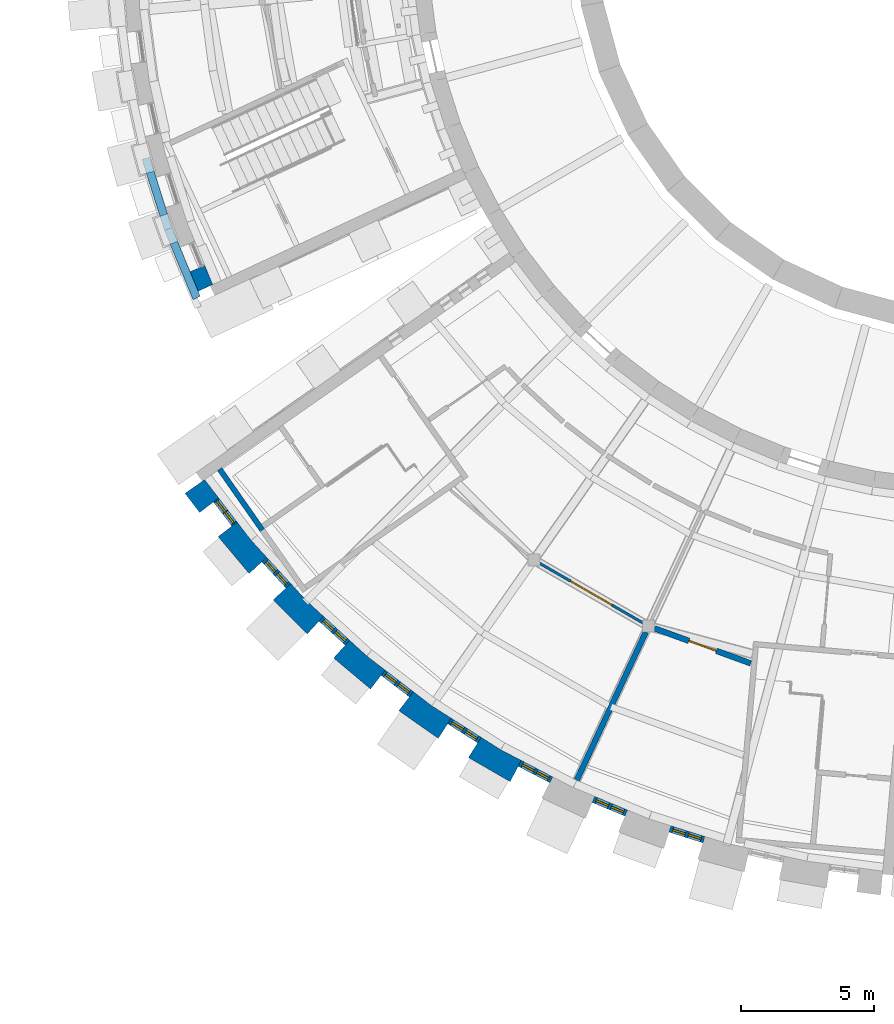
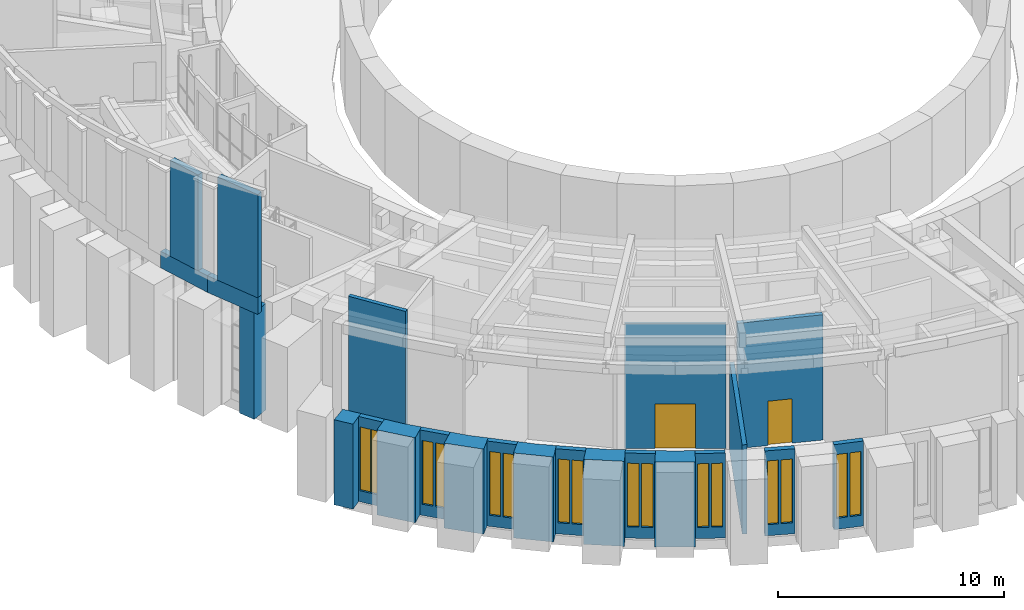
# One storey, part 36 of 66: 23 walls, 16 windows, 2 doors, 18 openings.
"""IFC4 building model written with IfcOpenShell, lengths in metres."""

from ifc_helpers import new_model, si_unit, direction, frame, frame_2d, origin, place, context, subcontext, project, spatial, polyline, rectangle, outline, extrude, material, layer, layer_set, type_object, element, fill, save


model = new_model("IFC4")

# Units and contexts
model_context = context("Model", 3, precision=1e-05, world=origin(), true_north=direction((0.0, 1.0)))
body_context = subcontext(model_context, "Body", "Model", "MODEL_VIEW")
ifc_project = project(units=[si_unit("LENGTHUNIT", "METRE"), si_unit("AREAUNIT", "SQUARE_METRE"), si_unit("VOLUMEUNIT", "CUBIC_METRE"), si_unit("PLANEANGLEUNIT", "RADIAN"), si_unit("MASSUNIT", "GRAM", prefix="KILO")], contexts=[model_context])

# Site, building, storey
site_placement = place(None, origin())
site = spatial("IfcSite", under=ifc_project, at=site_placement, CompositionType="ELEMENT")
building_placement = place(site_placement, origin())
building = spatial("IfcBuilding", under=site, at=building_placement, Name="Volute Hill Aquarium", CompositionType="ELEMENT")
storey_placement = place(building_placement, frame((0.0, 0.0, 4.60009765625)))
storey = spatial("IfcBuildingStorey", under=building, at=storey_placement, Name="L02", CompositionType="ELEMENT", Elevation=4.60009765625)

# Walls
ifc_material_1 = material(Name="Precast concrete C40/50", Category="concrete")
ifc_layer_1 = layer(ifc_material_1, 0.300048828125)
ifc_layer_set_1 = layer_set([ifc_layer_1], Name="Crown screen wall precast concrete C40/50 300")
wall_type_1 = type_object("IfcWallType", Name="Crown screen wall precast concrete C40/50 300", PredefinedType="NOTDEFINED", material=ifc_layer_set_1)
wall_1_placement = place(storey_placement, frame((0.0, 0.0, 6.659912109375)))
element("IfcWall", 1, at=wall_1_placement, inside=storey, type_object=wall_type_1, Name="Crown screen wall CSW S1 9", PredefinedType="NOTDEFINED", context=body_context, shape_type="SweptSolid", body=[
    extrude(outline(polyline([(-30.98486328125, -8.87548828125), (-30.47216796875, -10.501953125), (-30.18994140625, -10.399169921875), (-30.69482421875, -8.797607421875), (-30.98486328125, -8.87548828125)])), origin(), (0.0, 0.0, 1.0), 5.186279296875),
])
wall_2_placement = place(storey_placement, frame((0.0, 0.0, 6.659912109375)))
element("IfcWall", 2, at=wall_2_placement, inside=storey, type_object=wall_type_1, Name="Crown screen wall CSW S1 10", PredefinedType="NOTDEFINED", context=body_context, shape_type="SweptSolid", body=[
    extrude(outline(polyline([(-30.093505859375, -11.5419921875), (-29.228759765625, -13.629638671875), (-28.956787109375, -13.502685546875), (-29.811279296875, -11.439453125), (-30.093505859375, -11.5419921875)])), origin(), (0.0, 0.0, 1.0), 5.58251953125),
])

# Wall, opening, door
ifc_material_2 = material(Name="Gypsum board on steel studs", Category="steel")
ifc_layer_2 = layer(ifc_material_2, 0.10009765625)
ifc_layer_set_2 = layer_set([ifc_layer_2], Name="Light partition 100")
wall_type_2 = type_object("IfcWallType", Name="Light partition 100", PredefinedType="PARTITIONING", material=ifc_layer_set_2)
wall_3_placement = place(storey_placement, frame((-12.29443359375, -25.800537109375, 0.0), z_axis=(0.0, 0.0, 1.0), x_axis=(-0.86603400694, 0.499985098601, 0.0)))
wall_3 = element("IfcWall", 3, at=wall_3_placement, inside=storey, type_object=wall_type_2, Name="pw/S2/L02/003", PredefinedType="PARTITIONING", context=body_context, shape_type="SweptSolid", body=[
    extrude(rectangle(XDim=4.506103515625, YDim=0.10009765625, at=frame_2d((2.2529296875, 0.0))), origin(), (0.0, 0.0, 1.0), 6.775390625),
])
opening_1_placement = place(wall_3_placement, frame((1.352783203125, 0.0, 0.0)))
opening_1 = element("IfcOpeningElement", 4, at=opening_1_placement, cuts=wall_3, Name="Opening D2.02.03", PredefinedType="OPENING", context=body_context, shape_type="SweptSolid", body=[
    extrude(rectangle(XDim=1.800048828125, YDim=2.39990234375, at=frame_2d((0.89990234375, 1.199951171875))), frame((0.0, 0.06005859375, 0.0), z_axis=(0.0, -1.0, 0.0), x_axis=(1.0, 0.0, 0.0)), (0.0, 0.0, 1.0), 0.1201171875),
])
ifc_material_3 = material(Name="Timber", Category="wood")
door_type_1 = type_object("IfcDoorType", Name="Door 1800 x 2400 gallery double", OperationType="DOUBLE_DOOR_SINGLE_SWING", PredefinedType="DOOR", material=ifc_material_3)
door_1_placement = place(opening_1_placement, origin())
door_1 = element("IfcDoor", 5, at=door_1_placement, inside=storey, type_object=door_type_1, Name="d/S2/L02/03", OperationType="SINGLE_SWING_LEFT", OverallHeight=2.39990234375, OverallWidth=1.800048828125, PredefinedType="DOOR", context=body_context, shape_type="SweptSolid", body=[
    extrude(rectangle(XDim=1.800048828125, YDim=2.39990234375, at=frame_2d((0.89990234375, 1.199951171875))), frame((0.0, 0.02490234375, 0.0), z_axis=(0.0, -1.0, 0.0), x_axis=(1.0, 0.0, 0.0)), (0.0, 0.0, 1.0), 0.050048828125),
])
fill(opening_1, door_1)

# Wall, openings, windows
ifc_material_4 = material(Name="Concrete C30/37", Category="concrete")
ifc_layer_3 = layer(ifc_material_4, 0.25)
ifc_layer_set_3 = layer_set([ifc_layer_3], Name="Niche back wall full height 250")
wall_type_3 = type_object("IfcWallType", Name="Niche back wall full height 250", PredefinedType="NOTDEFINED", material=ifc_layer_set_3)
wall_4_placement = place(storey_placement, frame((-27.66943359375, -22.07666015625, 0.0), z_axis=(0.0, 0.0, 1.0), x_axis=(-0.608831313341, 0.793299711267, 0.0)))
wall_4 = element("IfcWall", 6, at=wall_4_placement, inside=storey, type_object=wall_type_3, Name="Niche back wall OWN S2 L02 1", PredefinedType="NOTDEFINED", context=body_context, shape_type="SweptSolid", body=[
    extrude(rectangle(XDim=1.140869140625, YDim=0.25, at=frame_2d((0.5703125, 0.0))), origin(), (0.0, 0.0, 1.0), 4.599853515625),
])
opening_2_placement = place(wall_4_placement, frame((0.582763671875, 0.0, 0.60009765625)))
opening_2 = element("IfcOpeningElement", 7, at=opening_2_placement, cuts=wall_4, Name="Opening W3", PredefinedType="OPENING", context=body_context, shape_type="SweptSolid", body=[
    extrude(rectangle(XDim=0.5, YDim=3.449951171875, at=frame_2d((0.25, 1.72509765625))), frame((0.0, 0.135009765625, 0.0), z_axis=(0.0, -1.0, 0.0), x_axis=(1.0, 0.0, 0.0)), (0.0, 0.0, 1.0), 0.27001953125),
])
opening_3_placement = place(wall_4_placement, frame((0.05810546875, 0.0, 0.60009765625)))
opening_3 = element("IfcOpeningElement", 8, at=opening_3_placement, cuts=wall_4, Name="Opening W3", PredefinedType="OPENING", context=body_context, shape_type="SweptSolid", body=[
    extrude(rectangle(XDim=0.5, YDim=3.449951171875, at=frame_2d((0.25, 1.72509765625))), frame((0.0, 0.135009765625, 0.0), z_axis=(0.0, -1.0, 0.0), x_axis=(1.0, 0.0, 0.0)), (0.0, 0.0, 1.0), 0.27001953125),
])
ifc_material_5 = material(Name="Aluminium and glass", Category="aluminium")
window_type = type_object("IfcWindowType", Name="Slit window 500x3450", PartitioningType="SINGLE_PANEL", PredefinedType="WINDOW", material=ifc_material_5)
window_1_placement = place(opening_2_placement, origin())
window_1 = element("IfcWindow", 9, at=window_1_placement, inside=storey, type_object=window_type, Name="Slit window S2 L02 1.1.1", OverallHeight=3.449951171875, OverallWidth=0.5, PartitioningType="SINGLE_PANEL", PredefinedType="WINDOW", context=body_context, shape_type="SweptSolid", body=[
    extrude(rectangle(XDim=0.5, YDim=3.449951171875, at=frame_2d((0.25, 1.72509765625))), frame((0.0, 0.030029296875, 0.0), z_axis=(0.0, -1.0, 0.0), x_axis=(1.0, 0.0, 0.0)), (0.0, 0.0, 1.0), 0.06005859375),
])
fill(opening_2, window_1)
window_2_placement = place(opening_3_placement, origin())
window_2 = element("IfcWindow", 10, at=window_2_placement, inside=storey, type_object=window_type, Name="Slit window S2 L02 1.1.2", OverallHeight=3.449951171875, OverallWidth=0.5, PartitioningType="SINGLE_PANEL", PredefinedType="WINDOW", context=body_context, shape_type="SweptSolid", body=[
    extrude(rectangle(XDim=0.5, YDim=3.449951171875, at=frame_2d((0.25, 1.72509765625))), frame((0.0, 0.030029296875, 0.0), z_axis=(0.0, -1.0, 0.0), x_axis=(1.0, 0.0, 0.0)), (0.0, 0.0, 1.0), 0.06005859375),
])
fill(opening_3, window_2)

wall_5_placement = place(storey_placement, frame((-25.639892578125, -24.404296875, 0.0), z_axis=(0.0, 0.0, 1.0), x_axis=(-0.675576229389, 0.737290145251, 0.0)))
wall_5 = element("IfcWall", 11, at=wall_5_placement, inside=storey, type_object=wall_type_3, Name="Niche back wall OWN S2 L02 2", PredefinedType="NOTDEFINED", context=body_context, shape_type="SweptSolid", body=[
    extrude(rectangle(XDim=1.341064453125, YDim=0.25, at=frame_2d((0.67041015625, 0.0))), origin(), (0.0, 0.0, 1.0), 4.599853515625),
])
opening_4_placement = place(wall_5_placement, frame((0.72900390625, 0.0, 0.60009765625)))
opening_4 = element("IfcOpeningElement", 12, at=opening_4_placement, cuts=wall_5, Name="Opening W3", PredefinedType="OPENING", context=body_context, shape_type="SweptSolid", body=[
    extrude(rectangle(XDim=0.5, YDim=3.449951171875, at=frame_2d((0.25, 1.72509765625))), frame((0.0, 0.135009765625, 0.0), z_axis=(0.0, -1.0, 0.0), x_axis=(1.0, 0.0, 0.0)), (0.0, 0.0, 1.0), 0.27001953125),
])
opening_5_placement = place(wall_5_placement, frame((0.112060546875, 0.0, 0.60009765625)))
opening_5 = element("IfcOpeningElement", 13, at=opening_5_placement, cuts=wall_5, Name="Opening W3", PredefinedType="OPENING", context=body_context, shape_type="SweptSolid", body=[
    extrude(rectangle(XDim=0.5, YDim=3.449951171875, at=frame_2d((0.25, 1.72509765625))), frame((0.0, 0.135009765625, 0.0), z_axis=(0.0, -1.0, 0.0), x_axis=(1.0, 0.0, 0.0)), (0.0, 0.0, 1.0), 0.27001953125),
])
window_3_placement = place(opening_4_placement, origin())
window_3 = element("IfcWindow", 14, at=window_3_placement, inside=storey, type_object=window_type, Name="Slit window S2 L02 2.1.1", OverallHeight=3.449951171875, OverallWidth=0.5, PartitioningType="SINGLE_PANEL", PredefinedType="WINDOW", context=body_context, shape_type="SweptSolid", body=[
    extrude(rectangle(XDim=0.5, YDim=3.449951171875, at=frame_2d((0.25, 1.72509765625))), frame((0.0, 0.030029296875, 0.0), z_axis=(0.0, -1.0, 0.0), x_axis=(1.0, 0.0, 0.0)), (0.0, 0.0, 1.0), 0.06005859375),
])
fill(opening_4, window_3)
window_4_placement = place(opening_5_placement, origin())
window_4 = element("IfcWindow", 15, at=window_4_placement, inside=storey, type_object=window_type, Name="Slit window S2 L02 2.1.2", OverallHeight=3.449951171875, OverallWidth=0.5, PartitioningType="SINGLE_PANEL", PredefinedType="WINDOW", context=body_context, shape_type="SweptSolid", body=[
    extrude(rectangle(XDim=0.5, YDim=3.449951171875, at=frame_2d((0.25, 1.72509765625))), frame((0.0, 0.030029296875, 0.0), z_axis=(0.0, -1.0, 0.0), x_axis=(1.0, 0.0, 0.0)), (0.0, 0.0, 1.0), 0.06005859375),
])
fill(opening_5, window_4)

wall_6_placement = place(storey_placement, frame((-23.41552734375, -26.5458984375, 0.0), z_axis=(0.0, 0.0, 1.0), x_axis=(-0.737290145251, 0.675576229389, 0.0)))
wall_6 = element("IfcWall", 16, at=wall_6_placement, inside=storey, type_object=wall_type_3, Name="Niche back wall OWN S2 L02 3", PredefinedType="NOTDEFINED", context=body_context, shape_type="SweptSolid", body=[
    extrude(rectangle(XDim=1.341064453125, YDim=0.25, at=frame_2d((0.67041015625, 0.0))), origin(), (0.0, 0.0, 1.0), 4.599853515625),
])
opening_6_placement = place(wall_6_placement, frame((0.72900390625, 0.0, 0.60009765625)))
opening_6 = element("IfcOpeningElement", 17, at=opening_6_placement, cuts=wall_6, Name="Opening W3", PredefinedType="OPENING", context=body_context, shape_type="SweptSolid", body=[
    extrude(rectangle(XDim=0.5, YDim=3.449951171875, at=frame_2d((0.25, 1.72509765625))), frame((0.0, 0.135009765625, 0.0), z_axis=(0.0, -1.0, 0.0), x_axis=(1.0, 0.0, 0.0)), (0.0, 0.0, 1.0), 0.27001953125),
])
opening_7_placement = place(wall_6_placement, frame((0.112060546875, 0.0, 0.60009765625)))
opening_7 = element("IfcOpeningElement", 18, at=opening_7_placement, cuts=wall_6, Name="Opening W3", PredefinedType="OPENING", context=body_context, shape_type="SweptSolid", body=[
    extrude(rectangle(XDim=0.5, YDim=3.449951171875, at=frame_2d((0.25, 1.72509765625))), frame((0.0, 0.135009765625, 0.0), z_axis=(0.0, -1.0, 0.0), x_axis=(1.0, 0.0, 0.0)), (0.0, 0.0, 1.0), 0.27001953125),
])
window_5_placement = place(opening_6_placement, origin())
window_5 = element("IfcWindow", 19, at=window_5_placement, inside=storey, type_object=window_type, Name="Slit window S2 L02 3.1.1", OverallHeight=3.449951171875, OverallWidth=0.5, PartitioningType="SINGLE_PANEL", PredefinedType="WINDOW", context=body_context, shape_type="SweptSolid", body=[
    extrude(rectangle(XDim=0.5, YDim=3.449951171875, at=frame_2d((0.25, 1.72509765625))), frame((0.0, 0.030029296875, 0.0), z_axis=(0.0, -1.0, 0.0), x_axis=(1.0, 0.0, 0.0)), (0.0, 0.0, 1.0), 0.06005859375),
])
fill(opening_6, window_5)
window_6_placement = place(opening_7_placement, origin())
window_6 = element("IfcWindow", 20, at=window_6_placement, inside=storey, type_object=window_type, Name="Slit window S2 L02 3.1.2", OverallHeight=3.449951171875, OverallWidth=0.5, PartitioningType="SINGLE_PANEL", PredefinedType="WINDOW", context=body_context, shape_type="SweptSolid", body=[
    extrude(rectangle(XDim=0.5, YDim=3.449951171875, at=frame_2d((0.25, 1.72509765625))), frame((0.0, 0.030029296875, 0.0), z_axis=(0.0, -1.0, 0.0), x_axis=(1.0, 0.0, 0.0)), (0.0, 0.0, 1.0), 0.06005859375),
])
fill(opening_7, window_6)

wall_7_placement = place(storey_placement, frame((-21.0126953125, -28.48583984375, 0.0), z_axis=(0.0, 0.0, 1.0), x_axis=(-0.793354308621, 0.608760167055, 0.0)))
wall_7 = element("IfcWall", 21, at=wall_7_placement, inside=storey, type_object=wall_type_3, Name="Niche back wall OWN S2 L02 4", PredefinedType="NOTDEFINED", context=body_context, shape_type="SweptSolid", body=[
    extrude(rectangle(XDim=1.341064453125, YDim=0.25, at=frame_2d((0.67041015625, 0.0))), origin(), (0.0, 0.0, 1.0), 4.599853515625),
])
opening_8_placement = place(wall_7_placement, frame((0.72900390625, 0.0, 0.60009765625)))
opening_8 = element("IfcOpeningElement", 22, at=opening_8_placement, cuts=wall_7, Name="Opening W3", PredefinedType="OPENING", context=body_context, shape_type="SweptSolid", body=[
    extrude(rectangle(XDim=0.5, YDim=3.449951171875, at=frame_2d((0.25, 1.72509765625))), frame((0.0, 0.135009765625, 0.0), z_axis=(0.0, -1.0, 0.0), x_axis=(1.0, 0.0, 0.0)), (0.0, 0.0, 1.0), 0.27001953125),
])
opening_9_placement = place(wall_7_placement, frame((0.112060546875, 0.0, 0.60009765625)))
opening_9 = element("IfcOpeningElement", 23, at=opening_9_placement, cuts=wall_7, Name="Opening W3", PredefinedType="OPENING", context=body_context, shape_type="SweptSolid", body=[
    extrude(rectangle(XDim=0.5, YDim=3.449951171875, at=frame_2d((0.25, 1.72509765625))), frame((0.0, 0.135009765625, 0.0), z_axis=(0.0, -1.0, 0.0), x_axis=(1.0, 0.0, 0.0)), (0.0, 0.0, 1.0), 0.27001953125),
])
window_7_placement = place(opening_8_placement, origin())
window_7 = element("IfcWindow", 24, at=window_7_placement, inside=storey, type_object=window_type, Name="Slit window S2 L02 4.1.1", OverallHeight=3.449951171875, OverallWidth=0.5, PartitioningType="SINGLE_PANEL", PredefinedType="WINDOW", context=body_context, shape_type="SweptSolid", body=[
    extrude(rectangle(XDim=0.5, YDim=3.449951171875, at=frame_2d((0.25, 1.72509765625))), frame((0.0, 0.030029296875, 0.0), z_axis=(0.0, -1.0, 0.0), x_axis=(1.0, 0.0, 0.0)), (0.0, 0.0, 1.0), 0.06005859375),
])
fill(opening_8, window_7)
window_8_placement = place(opening_9_placement, origin())
window_8 = element("IfcWindow", 25, at=window_8_placement, inside=storey, type_object=window_type, Name="Slit window S2 L02 4.1.2", OverallHeight=3.449951171875, OverallWidth=0.5, PartitioningType="SINGLE_PANEL", PredefinedType="WINDOW", context=body_context, shape_type="SweptSolid", body=[
    extrude(rectangle(XDim=0.5, YDim=3.449951171875, at=frame_2d((0.25, 1.72509765625))), frame((0.0, 0.030029296875, 0.0), z_axis=(0.0, -1.0, 0.0), x_axis=(1.0, 0.0, 0.0)), (0.0, 0.0, 1.0), 0.06005859375),
])
fill(opening_9, window_8)

wall_8_placement = place(storey_placement, frame((-18.449951171875, -30.208740234375, 0.0), z_axis=(0.0, 0.0, 1.0), x_axis=(-0.843436528723, 0.5372288358, 0.0)))
wall_8 = element("IfcWall", 26, at=wall_8_placement, inside=storey, type_object=wall_type_3, Name="Niche back wall OWN S2 L02 5", PredefinedType="NOTDEFINED", context=body_context, shape_type="SweptSolid", body=[
    extrude(rectangle(XDim=1.341064453125, YDim=0.25, at=frame_2d((0.67041015625, 0.0))), origin(), (0.0, 0.0, 1.0), 4.599853515625),
])
opening_10_placement = place(wall_8_placement, frame((0.72900390625, 0.0, 0.60009765625)))
opening_10 = element("IfcOpeningElement", 27, at=opening_10_placement, cuts=wall_8, Name="Opening W3", PredefinedType="OPENING", context=body_context, shape_type="SweptSolid", body=[
    extrude(rectangle(XDim=0.5, YDim=3.449951171875, at=frame_2d((0.25, 1.72509765625))), frame((0.0, 0.135009765625, 0.0), z_axis=(0.0, -1.0, 0.0), x_axis=(1.0, 0.0, 0.0)), (0.0, 0.0, 1.0), 0.27001953125),
])
opening_11_placement = place(wall_8_placement, frame((0.112060546875, 0.0, 0.60009765625)))
opening_11 = element("IfcOpeningElement", 28, at=opening_11_placement, cuts=wall_8, Name="Opening W3", PredefinedType="OPENING", context=body_context, shape_type="SweptSolid", body=[
    extrude(rectangle(XDim=0.5, YDim=3.449951171875, at=frame_2d((0.25, 1.72509765625))), frame((0.0, 0.135009765625, 0.0), z_axis=(0.0, -1.0, 0.0), x_axis=(1.0, 0.0, 0.0)), (0.0, 0.0, 1.0), 0.27001953125),
])
window_9_placement = place(opening_10_placement, origin())
window_9 = element("IfcWindow", 29, at=window_9_placement, inside=storey, type_object=window_type, Name="Slit window S2 L02 5.1.1", OverallHeight=3.449951171875, OverallWidth=0.5, PartitioningType="SINGLE_PANEL", PredefinedType="WINDOW", context=body_context, shape_type="SweptSolid", body=[
    extrude(rectangle(XDim=0.5, YDim=3.449951171875, at=frame_2d((0.25, 1.72509765625))), frame((0.0, 0.030029296875, 0.0), z_axis=(0.0, -1.0, 0.0), x_axis=(1.0, 0.0, 0.0)), (0.0, 0.0, 1.0), 0.06005859375),
])
fill(opening_10, window_9)
window_10_placement = place(opening_11_placement, origin())
window_10 = element("IfcWindow", 30, at=window_10_placement, inside=storey, type_object=window_type, Name="Slit window S2 L02 5.1.2", OverallHeight=3.449951171875, OverallWidth=0.5, PartitioningType="SINGLE_PANEL", PredefinedType="WINDOW", context=body_context, shape_type="SweptSolid", body=[
    extrude(rectangle(XDim=0.5, YDim=3.449951171875, at=frame_2d((0.25, 1.72509765625))), frame((0.0, 0.030029296875, 0.0), z_axis=(0.0, -1.0, 0.0), x_axis=(1.0, 0.0, 0.0)), (0.0, 0.0, 1.0), 0.06005859375),
])
fill(opening_11, window_10)

wall_9_placement = place(storey_placement, frame((-15.7470703125, -31.701904296875, 0.0), z_axis=(0.0, 0.0, 1.0), x_axis=(-0.886951374027, 0.461862815252, 0.0)))
wall_9 = element("IfcWall", 31, at=wall_9_placement, inside=storey, type_object=wall_type_3, Name="Niche back wall OWN S2 L02 6", PredefinedType="NOTDEFINED", context=body_context, shape_type="SweptSolid", body=[
    extrude(rectangle(XDim=1.341064453125, YDim=0.25, at=frame_2d((0.67041015625, 0.0))), origin(), (0.0, 0.0, 1.0), 4.599853515625),
])
opening_12_placement = place(wall_9_placement, frame((0.72900390625, 0.0, 0.60009765625)))
opening_12 = element("IfcOpeningElement", 32, at=opening_12_placement, cuts=wall_9, Name="Opening W3", PredefinedType="OPENING", context=body_context, shape_type="SweptSolid", body=[
    extrude(rectangle(XDim=0.5, YDim=3.449951171875, at=frame_2d((0.25, 1.72509765625))), frame((0.0, 0.135009765625, 0.0), z_axis=(0.0, -1.0, 0.0), x_axis=(1.0, 0.0, 0.0)), (0.0, 0.0, 1.0), 0.27001953125),
])
opening_13_placement = place(wall_9_placement, frame((0.112060546875, 0.0, 0.60009765625)))
opening_13 = element("IfcOpeningElement", 33, at=opening_13_placement, cuts=wall_9, Name="Opening W3", PredefinedType="OPENING", context=body_context, shape_type="SweptSolid", body=[
    extrude(rectangle(XDim=0.5, YDim=3.449951171875, at=frame_2d((0.25, 1.72509765625))), frame((0.0, 0.135009765625, 0.0), z_axis=(0.0, -1.0, 0.0), x_axis=(1.0, 0.0, 0.0)), (0.0, 0.0, 1.0), 0.27001953125),
])
window_11_placement = place(opening_12_placement, origin())
window_11 = element("IfcWindow", 34, at=window_11_placement, inside=storey, type_object=window_type, Name="Slit window S2 L02 6.1.1", OverallHeight=3.449951171875, OverallWidth=0.5, PartitioningType="SINGLE_PANEL", PredefinedType="WINDOW", context=body_context, shape_type="SweptSolid", body=[
    extrude(rectangle(XDim=0.5, YDim=3.449951171875, at=frame_2d((0.25, 1.72509765625))), frame((0.0, 0.030029296875, 0.0), z_axis=(0.0, -1.0, 0.0), x_axis=(1.0, 0.0, 0.0)), (0.0, 0.0, 1.0), 0.06005859375),
])
fill(opening_12, window_11)
window_12_placement = place(opening_13_placement, origin())
window_12 = element("IfcWindow", 35, at=window_12_placement, inside=storey, type_object=window_type, Name="Slit window S2 L02 6.1.2", OverallHeight=3.449951171875, OverallWidth=0.5, PartitioningType="SINGLE_PANEL", PredefinedType="WINDOW", context=body_context, shape_type="SweptSolid", body=[
    extrude(rectangle(XDim=0.5, YDim=3.449951171875, at=frame_2d((0.25, 1.72509765625))), frame((0.0, 0.030029296875, 0.0), z_axis=(0.0, -1.0, 0.0), x_axis=(1.0, 0.0, 0.0)), (0.0, 0.0, 1.0), 0.06005859375),
])
fill(opening_13, window_12)

wall_10_placement = place(storey_placement, frame((-12.924072265625, -32.95361328125, 0.0), z_axis=(0.0, 0.0, 1.0), x_axis=(-0.923888145957, 0.382662637005, 0.0)))
wall_10 = element("IfcWall", 36, at=wall_10_placement, inside=storey, type_object=wall_type_3, Name="Niche back wall OWN S2 L02 7", PredefinedType="NOTDEFINED", context=body_context, shape_type="SweptSolid", body=[
    extrude(rectangle(XDim=1.341064453125, YDim=0.25, at=frame_2d((0.67041015625, 0.0))), origin(), (0.0, 0.0, 1.0), 4.599853515625),
])
opening_14_placement = place(wall_10_placement, frame((0.72900390625, 0.0, 0.60009765625)))
opening_14 = element("IfcOpeningElement", 37, at=opening_14_placement, cuts=wall_10, Name="Opening W3", PredefinedType="OPENING", context=body_context, shape_type="SweptSolid", body=[
    extrude(rectangle(XDim=0.5, YDim=3.449951171875, at=frame_2d((0.25, 1.72509765625))), frame((0.0, 0.135009765625, 0.0), z_axis=(0.0, -1.0, 0.0), x_axis=(1.0, 0.0, 0.0)), (0.0, 0.0, 1.0), 0.27001953125),
])
opening_15_placement = place(wall_10_placement, frame((0.112060546875, 0.0, 0.60009765625)))
opening_15 = element("IfcOpeningElement", 38, at=opening_15_placement, cuts=wall_10, Name="Opening W3", PredefinedType="OPENING", context=body_context, shape_type="SweptSolid", body=[
    extrude(rectangle(XDim=0.5, YDim=3.449951171875, at=frame_2d((0.25, 1.72509765625))), frame((0.0, 0.135009765625, 0.0), z_axis=(0.0, -1.0, 0.0), x_axis=(1.0, 0.0, 0.0)), (0.0, 0.0, 1.0), 0.27001953125),
])
window_13_placement = place(opening_14_placement, origin())
window_13 = element("IfcWindow", 39, at=window_13_placement, inside=storey, type_object=window_type, Name="Slit window S2 L02 7.1.1", OverallHeight=3.449951171875, OverallWidth=0.5, PartitioningType="SINGLE_PANEL", PredefinedType="WINDOW", context=body_context, shape_type="SweptSolid", body=[
    extrude(rectangle(XDim=0.5, YDim=3.449951171875, at=frame_2d((0.25, 1.72509765625))), frame((0.0, 0.030029296875, 0.0), z_axis=(0.0, -1.0, 0.0), x_axis=(1.0, 0.0, 0.0)), (0.0, 0.0, 1.0), 0.06005859375),
])
fill(opening_14, window_13)
window_14_placement = place(opening_15_placement, origin())
window_14 = element("IfcWindow", 40, at=window_14_placement, inside=storey, type_object=window_type, Name="Slit window S2 L02 7.1.2", OverallHeight=3.449951171875, OverallWidth=0.5, PartitioningType="SINGLE_PANEL", PredefinedType="WINDOW", context=body_context, shape_type="SweptSolid", body=[
    extrude(rectangle(XDim=0.5, YDim=3.449951171875, at=frame_2d((0.25, 1.72509765625))), frame((0.0, 0.030029296875, 0.0), z_axis=(0.0, -1.0, 0.0), x_axis=(1.0, 0.0, 0.0)), (0.0, 0.0, 1.0), 0.06005859375),
])
fill(opening_15, window_14)

wall_11_placement = place(storey_placement, frame((-10.002685546875, -33.95458984375, 0.0), z_axis=(0.0, 0.0, 1.0), x_axis=(-0.953709137905, 0.300730577556, 0.0)))
wall_11 = element("IfcWall", 41, at=wall_11_placement, inside=storey, type_object=wall_type_3, Name="Niche back wall OWN S2 L02 8", PredefinedType="NOTDEFINED", context=body_context, shape_type="SweptSolid", body=[
    extrude(rectangle(XDim=1.341064453125, YDim=0.25, at=frame_2d((0.67041015625, 0.0))), origin(), (0.0, 0.0, 1.0), 4.599853515625),
])
opening_16_placement = place(wall_11_placement, frame((0.72900390625, 0.0, 0.60009765625)))
opening_16 = element("IfcOpeningElement", 42, at=opening_16_placement, cuts=wall_11, Name="Opening W3", PredefinedType="OPENING", context=body_context, shape_type="SweptSolid", body=[
    extrude(rectangle(XDim=0.5, YDim=3.449951171875, at=frame_2d((0.25, 1.72509765625))), frame((0.0, 0.135009765625, 0.0), z_axis=(0.0, -1.0, 0.0), x_axis=(1.0, 0.0, 0.0)), (0.0, 0.0, 1.0), 0.27001953125),
])
opening_17_placement = place(wall_11_placement, frame((0.112060546875, 0.0, 0.60009765625)))
opening_17 = element("IfcOpeningElement", 43, at=opening_17_placement, cuts=wall_11, Name="Opening W3", PredefinedType="OPENING", context=body_context, shape_type="SweptSolid", body=[
    extrude(rectangle(XDim=0.5, YDim=3.449951171875, at=frame_2d((0.25, 1.72509765625))), frame((0.0, 0.135009765625, 0.0), z_axis=(0.0, -1.0, 0.0), x_axis=(1.0, 0.0, 0.0)), (0.0, 0.0, 1.0), 0.27001953125),
])
window_15_placement = place(opening_16_placement, origin())
window_15 = element("IfcWindow", 44, at=window_15_placement, inside=storey, type_object=window_type, Name="Slit window S2 L02 8.1.1", OverallHeight=3.449951171875, OverallWidth=0.5, PartitioningType="SINGLE_PANEL", PredefinedType="WINDOW", context=body_context, shape_type="SweptSolid", body=[
    extrude(rectangle(XDim=0.5, YDim=3.449951171875, at=frame_2d((0.25, 1.72509765625))), frame((0.0, 0.030029296875, 0.0), z_axis=(0.0, -1.0, 0.0), x_axis=(1.0, 0.0, 0.0)), (0.0, 0.0, 1.0), 0.06005859375),
])
fill(opening_16, window_15)
window_16_placement = place(opening_17_placement, origin())
window_16 = element("IfcWindow", 45, at=window_16_placement, inside=storey, type_object=window_type, Name="Slit window S2 L02 8.1.2", OverallHeight=3.449951171875, OverallWidth=0.5, PartitioningType="SINGLE_PANEL", PredefinedType="WINDOW", context=body_context, shape_type="SweptSolid", body=[
    extrude(rectangle(XDim=0.5, YDim=3.449951171875, at=frame_2d((0.25, 1.72509765625))), frame((0.0, 0.030029296875, 0.0), z_axis=(0.0, -1.0, 0.0), x_axis=(1.0, 0.0, 0.0)), (0.0, 0.0, 1.0), 0.06005859375),
])
fill(opening_17, window_16)

# Walls
ifc_material_6 = material(Name="Precast concrete C40/50", Category="concrete")
ifc_layer_4 = layer(ifc_material_6, 0.89990234375)
ifc_layer_set_4 = layer_set([ifc_layer_4], Name="Outer pier precast concrete C40/50 900")
wall_type_4 = type_object("IfcWallType", Name="Outer pier precast concrete C40/50 900", PredefinedType="NOTDEFINED", material=ifc_layer_set_4)
wall_12_placement = place(storey_placement, origin())
element("IfcWall", 46, at=wall_12_placement, inside=storey, type_object=wall_type_4, Name="Outer pier OWP S1 L02 11", PredefinedType="NOTDEFINED", context=body_context, shape_type="SweptSolid", body=[
    extrude(outline(polyline([(-28.783935546875, -12.3515625), (-29.615478515625, -12.696044921875), (-29.305419921875, -13.444580078125), (-28.489013671875, -13.06396484375), (-28.783935546875, -12.3515625)])), origin(), (0.0, 0.0, 1.0), 5.760009765625),
])
wall_13_placement = place(storey_placement, origin())
element("IfcWall", 47, at=wall_13_placement, inside=storey, type_object=wall_type_4, Name="Outer pier OWP S2 L02 1", PredefinedType="NOTDEFINED", context=body_context, shape_type="SweptSolid", body=[
    extrude(outline(polyline([(-28.7939453125, -20.40576171875), (-29.53173828125, -20.922607421875), (-28.978759765625, -21.643310546875), (-28.2646484375, -21.095458984375), (-28.7939453125, -20.40576171875)])), origin(), (0.0, 0.0, 1.0), 4.599853515625),
])
wall_14_placement = place(storey_placement, origin())
element("IfcWall", 48, at=wall_14_placement, inside=storey, type_object=wall_type_4, Name="Outer pier OWP S2 L02 2", PredefinedType="NOTDEFINED", context=body_context, shape_type="SweptSolid", body=[
    extrude(outline(polyline([(-27.570068359375, -22.00048828125), (-28.2841796875, -22.548583984375), (-27.117431640625, -23.93896484375), (-26.453857421875, -23.3310546875), (-27.041015625, -22.690185546875), (-27.570068359375, -22.00048828125)])), origin(), (0.0, 0.0, 1.0), 4.599853515625),
])
wall_15_placement = place(storey_placement, origin())
element("IfcWall", 49, at=wall_15_placement, inside=storey, type_object=wall_type_4, Name="Outer pier OWP S2 L02 3", PredefinedType="NOTDEFINED", context=body_context, shape_type="SweptSolid", body=[
    extrude(outline(polyline([(-25.5478515625, -24.31982421875), (-26.21142578125, -24.927734375), (-24.927734375, -26.21142578125), (-24.31982421875, -25.5478515625), (-24.960693359375, -24.960693359375), (-25.5478515625, -24.31982421875)])), origin(), (0.0, 0.0, 1.0), 4.599853515625),
])
wall_16_placement = place(storey_placement, origin())
element("IfcWall", 50, at=wall_16_placement, inside=storey, type_object=wall_type_4, Name="Outer pier OWP S2 L02 4", PredefinedType="NOTDEFINED", context=body_context, shape_type="SweptSolid", body=[
    extrude(outline(polyline([(-23.3310546875, -26.453857421875), (-23.93896484375, -27.117431640625), (-22.548583984375, -28.2841796875), (-22.00048828125, -27.570068359375), (-22.690185546875, -27.041015625), (-23.3310546875, -26.453857421875)])), origin(), (0.0, 0.0, 1.0), 4.599853515625),
])
wall_17_placement = place(storey_placement, origin())
element("IfcWall", 51, at=wall_17_placement, inside=storey, type_object=wall_type_4, Name="Outer pier OWP S2 L02 5", PredefinedType="NOTDEFINED", context=body_context, shape_type="SweptSolid", body=[
    extrude(outline(polyline([(-20.9365234375, -28.386474609375), (-21.484619140625, -29.1005859375), (-19.99755859375, -30.141845703125), (-19.513916015625, -29.3828125), (-20.2470703125, -28.915771484375), (-20.9365234375, -28.386474609375)])), origin(), (0.0, 0.0, 1.0), 4.599853515625),
])
wall_18_placement = place(storey_placement, origin())
element("IfcWall", 52, at=wall_18_placement, inside=storey, type_object=wall_type_4, Name="Outer pier OWP S2 L02 6", PredefinedType="NOTDEFINED", context=body_context, shape_type="SweptSolid", body=[
    extrude(outline(polyline([(-18.3828125, -30.103271484375), (-18.866455078125, -30.8623046875), (-17.29443359375, -31.77001953125), (-16.87890625, -30.9716796875), (-17.64990234375, -30.5703125), (-18.3828125, -30.103271484375)])), origin(), (0.0, 0.0, 1.0), 4.599853515625),
])
ifc_material_7 = material(Name="Masonry blockwork", Category="masonry")
ifc_layer_5 = layer(ifc_material_7, 0.215087890625)
ifc_layer_set_5 = layer_set([ifc_layer_5], Name="Plant room wall 215 EI 60")
wall_type_5 = type_object("IfcWallType", Name="Plant room wall 215 EI 60", PredefinedType="PARTITIONING", material=ifc_layer_set_5)
wall_19_placement = place(storey_placement, frame((-12.188232421875, -26.1376953125, 0.0), z_axis=(0.0, 0.0, 1.0), x_axis=(-0.422611085611, -0.906311133286, 0.0)))
element("IfcWall", 53, at=wall_19_placement, inside=storey, type_object=wall_type_5, Name="pw/S2/L02/001", PredefinedType="PARTITIONING", context=body_context, shape_type="SweptSolid", body=[
    extrude(rectangle(XDim=6.430419921875, YDim=0.215087890625, at=frame_2d((3.21533203125, 0.0))), origin(), (0.0, 0.0, 1.0), 4.82177734375),
])

# Wall, opening, door
wall_20_placement = place(storey_placement, frame((-8.242431640625, -27.319580078125, 0.0), z_axis=(0.0, 0.0, 1.0), x_axis=(-0.939702700152, 0.341992449226, 0.0)))
wall_20 = element("IfcWall", 54, at=wall_20_placement, inside=storey, type_object=wall_type_5, Name="pw/S2/L02/004", PredefinedType="PARTITIONING", context=body_context, shape_type="SweptSolid", body=[
    extrude(rectangle(XDim=3.851318359375, YDim=0.215087890625, at=frame_2d((1.92578125, 0.0))), origin(), (0.0, 0.0, 1.0), 6.775390625),
])
opening_18_placement = place(wall_20_placement, frame((1.375732421875, 0.0, 0.0)))
opening_18 = element("IfcOpeningElement", 55, at=opening_18_placement, cuts=wall_20, Name="Opening D2.02.04", PredefinedType="OPENING", context=body_context, shape_type="SweptSolid", body=[
    extrude(rectangle(XDim=1.10009765625, YDim=2.39990234375, at=frame_2d((0.550048828125, 1.199951171875))), frame((0.0, 0.117431640625, 0.0), z_axis=(0.0, -1.0, 0.0), x_axis=(1.0, 0.0, 0.0)), (0.0, 0.0, 1.0), 0.235107421875),
])
ifc_material_8 = material(Name="Steel, fire-rated", Category="steel")
door_type_2 = type_object("IfcDoorType", Name="Door 1100 x 2400 plant room EI1 30", OperationType="SINGLE_SWING_LEFT", PredefinedType="DOOR", material=ifc_material_8)
door_2_placement = place(opening_18_placement, origin())
door_2 = element("IfcDoor", 56, at=door_2_placement, inside=storey, type_object=door_type_2, Name="d/S2/L02/04", OperationType="SINGLE_SWING_RIGHT", OverallHeight=2.39990234375, OverallWidth=1.10009765625, PredefinedType="DOOR", context=body_context, shape_type="SweptSolid", body=[
    extrude(rectangle(XDim=1.10009765625, YDim=2.39990234375, at=frame_2d((0.550048828125, 1.199951171875))), frame((0.0, 0.02490234375, 0.0), z_axis=(0.0, -1.0, 0.0), x_axis=(1.0, 0.0, 0.0)), (0.0, 0.0, 1.0), 0.050048828125),
])
fill(opening_18, door_2)

# Walls
ifc_material_9 = material(Name="Precast concrete C40/50", Category="concrete")
ifc_layer_6 = layer(ifc_material_9, 0.300048828125)
ifc_layer_set_6 = layer_set([ifc_layer_6], Name="Roof edge parapet precast concrete C40/50 300")
wall_type_6 = type_object("IfcWallType", Name="Roof edge parapet precast concrete C40/50 300", PredefinedType="PARAPET", material=ifc_layer_set_6)
wall_21_placement = place(storey_placement, frame((0.0, 0.0, 5.760009765625)))
element("IfcWall", 57, at=wall_21_placement, inside=storey, type_object=wall_type_6, Name="Roof edge parapet PAR S1 9", PredefinedType="PARAPET", context=body_context, shape_type="SweptSolid", body=[
    extrude(outline(polyline([(-30.861328125, -8.269287109375), (-31.1513671875, -8.346923828125), (-30.305419921875, -11.0302734375), (-30.023193359375, -10.927734375), (-30.861328125, -8.269287109375)])), origin(), (0.0, 0.0, 1.0), 0.89990234375),
])
wall_22_placement = place(storey_placement, frame((0.0, 0.0, 5.760009765625)))
element("IfcWall", 58, at=wall_22_placement, inside=storey, type_object=wall_type_6, Name="Roof edge parapet PAR S1 10", PredefinedType="PARAPET", context=body_context, shape_type="SweptSolid", body=[
    extrude(outline(polyline([(-29.228759765625, -13.629638671875), (-28.956787109375, -13.502685546875), (-30.023193359375, -10.927490234375), (-30.305419921875, -11.0302734375), (-29.228759765625, -13.629638671875)])), origin(), (0.0, 0.0, 1.0), 0.89990234375),
])
ifc_material_10 = material(Name="Concrete C30/37", Category="concrete")
ifc_layer_7 = layer(ifc_material_10, 0.199951171875)
ifc_layer_set_7 = layer_set([ifc_layer_7], Name="Shaft wall 200 EI 60")
wall_type_7 = type_object("IfcWallType", Name="Shaft wall 200 EI 60", PredefinedType="SOLIDWALL", material=ifc_layer_set_7)
wall_23_placement = place(storey_placement, frame((-28.227783203125, -20.009521484375, 0.0), z_axis=(0.0, 0.0, 1.0), x_axis=(0.573550118428, -0.819170471667, 0.0)))
element("IfcWall", 59, at=wall_23_placement, inside=storey, type_object=wall_type_7, Name="wc/S2-A/L02/out-a", PredefinedType="SOLIDWALL", context=body_context, shape_type="SweptSolid", body=[
    extrude(rectangle(XDim=2.800048828125, YDim=0.199951171875, at=frame_2d((1.39990234375, 0.0))), origin(), (0.0, 0.0, 1.0), 10.333984375),
])

save(model, "model.ifc")
